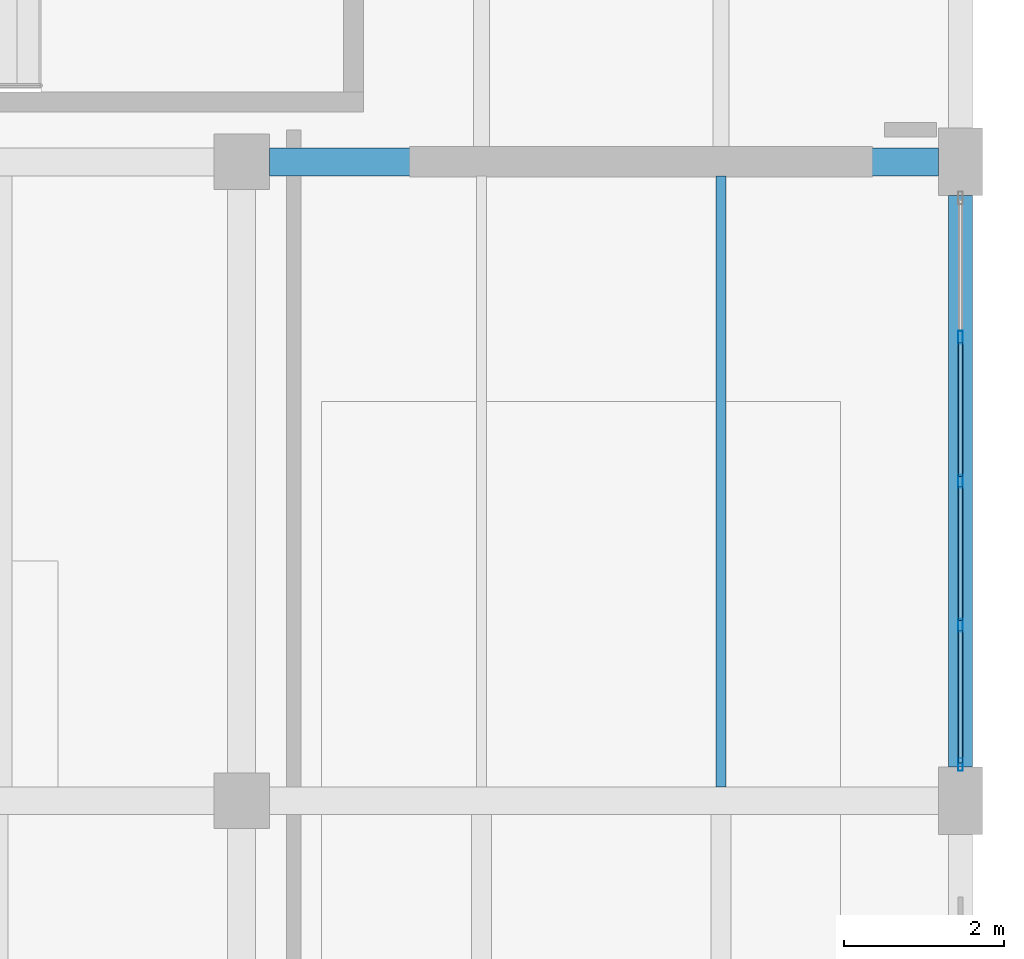
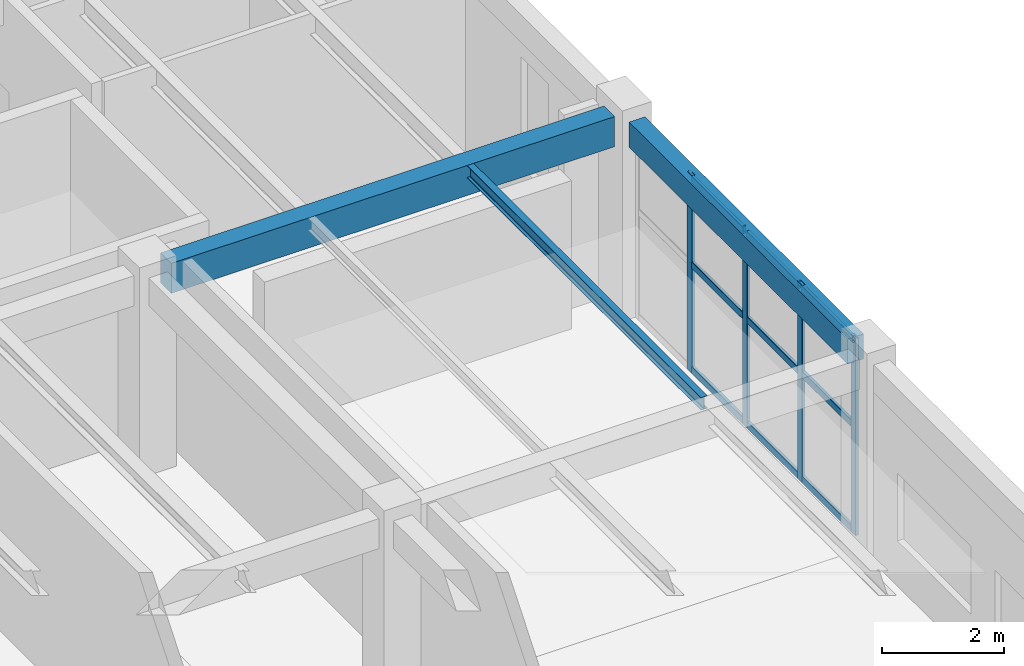
# One storey, part 33 of 71: 13 members, 3 beams, 1 element without a shape of its own.
"""IFC4 building model written with IfcOpenShell, lengths in metres."""

from ifc_helpers import new_model, si_unit, derived_unit, direction, frame, origin, origin_2d, place, context, subcontext, project, spatial, rectangle, hollow_rectangle, i_section, extrude, material, material_profile, profile_set, type_object, element, aggregate, save


model = new_model("IFC4")

# Units and contexts
model_context = context("Model", 3, precision=1e-05, world=origin(), true_north=direction((0.0, 1.0)))
body_context = subcontext(model_context, "Body", "Model", "MODEL_VIEW")
ifc_project = project(units=[si_unit("LENGTHUNIT", "METRE"), si_unit("AREAUNIT", "SQUARE_METRE"), si_unit("VOLUMEUNIT", "CUBIC_METRE"), si_unit("PLANEANGLEUNIT", "RADIAN"), si_unit("MASSUNIT", "GRAM", prefix="KILO"), derived_unit("THERMALTRANSMITTANCEUNIT", [(si_unit("MASSUNIT", "GRAM", prefix="KILO"), 1), (si_unit("TIMEUNIT", "SECOND"), -3), (si_unit("THERMODYNAMICTEMPERATUREUNIT", "KELVIN"), -1)])], contexts=[model_context])

# Site, building, storey
site_placement = place(None, origin())
site = spatial("IfcSite", under=ifc_project, at=site_placement, CompositionType="ELEMENT")
building_placement = place(site_placement, origin())
building = spatial("IfcBuilding", under=site, at=building_placement, Name="Zhenchuan Archway Interchange", CompositionType="ELEMENT")
storey_placement = place(building_placement, frame((0.0, 0.0, 18.60009765625)))
storey = spatial("IfcBuildingStorey", under=building, at=storey_placement, Name="L04", CompositionType="ELEMENT", Elevation=18.60009765625)

# Beam
ifc_material_1 = material(Name="Concrete C40", Category="concrete")
ifc_material_profile_1 = material_profile(ifc_material_1, rectangle(XDim=0.35009765625, YDim=0.60009765625, at=origin_2d()), Name="RC 350x600")
ifc_profile_set_1 = profile_set([ifc_material_profile_1], Name="Concrete C40")
beam_type_1 = type_object("IfcBeamType", Name="BM_RC_350x600", PredefinedType="BEAM", material=ifc_profile_set_1)
beam_1_placement = place(storey_placement, frame((162.35009765625, 48.0, 3.639892578125), z_axis=(1.0, 0.0, 0.0), x_axis=(0.0, 1.0, 0.0)))
element("IfcBeam", 1, at=beam_1_placement, inside=storey, type_object=beam_type_1, Name="Beam G:19-20 (L04)", PredefinedType="BEAM", context=body_context, shape_type="SweptSolid", body=[
    extrude(rectangle(XDim=0.35009765625, YDim=0.60009765625, at=origin_2d()), origin(), (0.0, 0.0, 1.0), 8.375),
])

# Curtain wall, members
ifc_material_2 = material(Name="Anodised Aluminium", Category="aluminium")
curtain_wall_type = type_object("IfcCurtainWallType", Name="CW_UNIT_2", PredefinedType="NOTDEFINED", material=ifc_material_2)
curtain_wall_placement = place(storey_placement, origin())
curtain_wall = element("IfcCurtainWall", 2, at=curtain_wall_placement, inside=storey, type_object=curtain_wall_type, Name="Unitised curtain wall CW:L04:197", PredefinedType="NOTDEFINED")
ifc_material_profile_2 = material_profile(ifc_material_2, hollow_rectangle(XDim=0.06005859375, YDim=0.159912109375, WallThickness=0.00390625, InnerFilletRadius=0.00390625, OuterFilletRadius=0.008056640625, at=origin_2d()), Name="ALU 160x60x4")
ifc_profile_set_2 = profile_set([ifc_material_profile_2], Name="Anodised Aluminium")
member_type_1 = type_object("IfcMemberType", Name="CW_MUL_150", PredefinedType="MULLION", material=ifc_profile_set_2)
member_1_placement = place(storey_placement, frame((171.0, 45.803466796875, 0.0), z_axis=(0.0, 0.0, 1.0), x_axis=(1.0, 0.0, 0.0)))
member_1 = element("IfcMember", 3, at=member_1_placement, type_object=member_type_1, Name="CW:L04:197 mullion 1", PredefinedType="MULLION", context=body_context, shape_type="SweptSolid", body=[
    extrude(hollow_rectangle(XDim=0.06005859375, YDim=0.159912109375, WallThickness=0.00390625, InnerFilletRadius=0.00390625, OuterFilletRadius=0.008056640625, at=origin_2d()), origin(), (0.0, 0.0, 1.0), 3.93994140625),
])
member_2_placement = place(storey_placement, frame((171.0, 44.0, 0.0), z_axis=(0.0, 0.0, 1.0), x_axis=(1.0, 0.0, 0.0)))
member_2 = element("IfcMember", 4, at=member_2_placement, type_object=member_type_1, Name="CW:L04:197 mullion 2", PredefinedType="MULLION", context=body_context, shape_type="SweptSolid", body=[
    extrude(hollow_rectangle(XDim=0.06005859375, YDim=0.159912109375, WallThickness=0.00390625, InnerFilletRadius=0.00390625, OuterFilletRadius=0.008056640625, at=origin_2d()), origin(), (0.0, 0.0, 1.0), 3.93994140625),
])
member_3_placement = place(storey_placement, frame((171.0, 42.196533203125, 0.0), z_axis=(0.0, 0.0, 1.0), x_axis=(1.0, 0.0, 0.0)))
member_3 = element("IfcMember", 5, at=member_3_placement, type_object=member_type_1, Name="CW:L04:197 mullion 3", PredefinedType="MULLION", context=body_context, shape_type="SweptSolid", body=[
    extrude(hollow_rectangle(XDim=0.06005859375, YDim=0.159912109375, WallThickness=0.00390625, InnerFilletRadius=0.00390625, OuterFilletRadius=0.008056640625, at=origin_2d()), origin(), (0.0, 0.0, 1.0), 3.93994140625),
])
member_4_placement = place(storey_placement, frame((171.0, 40.452880859375, 0.0), z_axis=(0.0, 0.0, 1.0), x_axis=(1.0, 0.0, 0.0)))
member_4 = element("IfcMember", 6, at=member_4_placement, type_object=member_type_1, Name="CW:L04:197 mullion 4", PredefinedType="MULLION", context=body_context, shape_type="SweptSolid", body=[
    extrude(hollow_rectangle(XDim=0.06005859375, YDim=0.159912109375, WallThickness=0.00390625, InnerFilletRadius=0.00390625, OuterFilletRadius=0.008056640625, at=origin_2d()), origin(), (0.0, 0.0, 1.0), 3.93994140625),
])
ifc_material_profile_3 = material_profile(ifc_material_2, hollow_rectangle(XDim=0.06005859375, YDim=0.139892578125, WallThickness=0.00341796875, InnerFilletRadius=0.00341796875, OuterFilletRadius=0.007080078125, at=origin_2d()), Name="ALU 140x60x3.5")
ifc_profile_set_3 = profile_set([ifc_material_profile_3], Name="Anodised Aluminium")
member_type_2 = type_object("IfcMemberType", Name="CW_TRN_140", PredefinedType="USERDEFINED", material=ifc_profile_set_3)
member_5_placement = place(storey_placement, frame((171.0, 45.743408203125, 0.059814453125), z_axis=(0.0, -1.0, 0.0), x_axis=(1.0, 0.0, 0.0)))
member_5 = element("IfcMember", 7, at=member_5_placement, type_object=member_type_2, Name="CW:L04:197 transom 1-1", ObjectType="TRANSOM", PredefinedType="USERDEFINED", context=body_context, shape_type="SweptSolid", body=[
    extrude(hollow_rectangle(XDim=0.06005859375, YDim=0.139892578125, WallThickness=0.00341796875, InnerFilletRadius=0.00341796875, OuterFilletRadius=0.007080078125, at=origin_2d()), origin(), (0.0, 0.0, 1.0), 1.683349609375),
])
member_6_placement = place(storey_placement, frame((171.0, 45.743408203125, 2.156005859375), z_axis=(0.0, -1.0, 0.0), x_axis=(1.0, 0.0, 0.0)))
member_6 = element("IfcMember", 8, at=member_6_placement, type_object=member_type_2, Name="CW:L04:197 transom 1-2", ObjectType="TRANSOM", PredefinedType="USERDEFINED", context=body_context, shape_type="SweptSolid", body=[
    extrude(hollow_rectangle(XDim=0.06005859375, YDim=0.139892578125, WallThickness=0.00341796875, InnerFilletRadius=0.00341796875, OuterFilletRadius=0.007080078125, at=origin_2d()), origin(), (0.0, 0.0, 1.0), 1.683349609375),
])
member_7_placement = place(storey_placement, frame((171.0, 45.743408203125, 3.85986328125), z_axis=(0.0, -1.0, 0.0), x_axis=(1.0, 0.0, 0.0)))
member_7 = element("IfcMember", 9, at=member_7_placement, type_object=member_type_2, Name="CW:L04:197 transom 1-3", ObjectType="TRANSOM", PredefinedType="USERDEFINED", context=body_context, shape_type="SweptSolid", body=[
    extrude(hollow_rectangle(XDim=0.06005859375, YDim=0.139892578125, WallThickness=0.00341796875, InnerFilletRadius=0.00341796875, OuterFilletRadius=0.007080078125, at=origin_2d()), origin(), (0.0, 0.0, 1.0), 1.683349609375),
])
member_8_placement = place(storey_placement, frame((171.0, 43.93994140625, 0.059814453125), z_axis=(0.0, -1.0, 0.0), x_axis=(1.0, 0.0, 0.0)))
member_8 = element("IfcMember", 10, at=member_8_placement, type_object=member_type_2, Name="CW:L04:197 transom 2-1", ObjectType="TRANSOM", PredefinedType="USERDEFINED", context=body_context, shape_type="SweptSolid", body=[
    extrude(hollow_rectangle(XDim=0.06005859375, YDim=0.139892578125, WallThickness=0.00341796875, InnerFilletRadius=0.00341796875, OuterFilletRadius=0.007080078125, at=origin_2d()), origin(), (0.0, 0.0, 1.0), 1.683349609375),
])
member_9_placement = place(storey_placement, frame((171.0, 43.93994140625, 2.156005859375), z_axis=(0.0, -1.0, 0.0), x_axis=(1.0, 0.0, 0.0)))
member_9 = element("IfcMember", 11, at=member_9_placement, type_object=member_type_2, Name="CW:L04:197 transom 2-2", ObjectType="TRANSOM", PredefinedType="USERDEFINED", context=body_context, shape_type="SweptSolid", body=[
    extrude(hollow_rectangle(XDim=0.06005859375, YDim=0.139892578125, WallThickness=0.00341796875, InnerFilletRadius=0.00341796875, OuterFilletRadius=0.007080078125, at=origin_2d()), origin(), (0.0, 0.0, 1.0), 1.683349609375),
])
member_10_placement = place(storey_placement, frame((171.0, 43.93994140625, 3.85986328125), z_axis=(0.0, -1.0, 0.0), x_axis=(1.0, 0.0, 0.0)))
member_10 = element("IfcMember", 12, at=member_10_placement, type_object=member_type_2, Name="CW:L04:197 transom 2-3", ObjectType="TRANSOM", PredefinedType="USERDEFINED", context=body_context, shape_type="SweptSolid", body=[
    extrude(hollow_rectangle(XDim=0.06005859375, YDim=0.139892578125, WallThickness=0.00341796875, InnerFilletRadius=0.00341796875, OuterFilletRadius=0.007080078125, at=origin_2d()), origin(), (0.0, 0.0, 1.0), 1.683349609375),
])
member_11_placement = place(storey_placement, frame((171.0, 42.136474609375, 0.059814453125), z_axis=(0.0, -1.0, 0.0), x_axis=(1.0, 0.0, 0.0)))
member_11 = element("IfcMember", 13, at=member_11_placement, type_object=member_type_2, Name="CW:L04:197 transom 3-1", ObjectType="TRANSOM", PredefinedType="USERDEFINED", context=body_context, shape_type="SweptSolid", body=[
    extrude(hollow_rectangle(XDim=0.06005859375, YDim=0.139892578125, WallThickness=0.00341796875, InnerFilletRadius=0.00341796875, OuterFilletRadius=0.007080078125, at=origin_2d()), origin(), (0.0, 0.0, 1.0), 1.66357421875),
])
member_12_placement = place(storey_placement, frame((171.0, 42.136474609375, 2.156005859375), z_axis=(0.0, -1.0, 0.0), x_axis=(1.0, 0.0, 0.0)))
member_12 = element("IfcMember", 14, at=member_12_placement, type_object=member_type_2, Name="CW:L04:197 transom 3-2", ObjectType="TRANSOM", PredefinedType="USERDEFINED", context=body_context, shape_type="SweptSolid", body=[
    extrude(hollow_rectangle(XDim=0.06005859375, YDim=0.139892578125, WallThickness=0.00341796875, InnerFilletRadius=0.00341796875, OuterFilletRadius=0.007080078125, at=origin_2d()), origin(), (0.0, 0.0, 1.0), 1.66357421875),
])
member_13_placement = place(storey_placement, frame((171.0, 42.136474609375, 3.85986328125), z_axis=(0.0, -1.0, 0.0), x_axis=(1.0, 0.0, 0.0)))
member_13 = element("IfcMember", 15, at=member_13_placement, type_object=member_type_2, Name="CW:L04:197 transom 3-3", ObjectType="TRANSOM", PredefinedType="USERDEFINED", context=body_context, shape_type="SweptSolid", body=[
    extrude(hollow_rectangle(XDim=0.06005859375, YDim=0.139892578125, WallThickness=0.00341796875, InnerFilletRadius=0.00341796875, OuterFilletRadius=0.007080078125, at=origin_2d()), origin(), (0.0, 0.0, 1.0), 1.66357421875),
])
aggregate(curtain_wall, [member_1, member_2, member_3, member_4, member_5, member_6, member_7, member_8, member_9, member_10, member_11, member_12, member_13])

# Beams
ifc_material_3 = material(Name="Steel Q355", Category="steel")
ifc_material_profile_4 = material_profile(ifc_material_3, i_section(OverallWidth=0.125, OverallDepth=0.25, WebThickness=0.006103515625, FlangeThickness=0.009033203125, FilletRadius=0.011962890625, at=origin_2d()), Name="HN 250x125")
ifc_profile_set_4 = profile_set([ifc_material_profile_4], Name="Steel Q355")
beam_type_2 = type_object("IfcBeamType", Name="JST_STL_HN250", PredefinedType="JOIST", material=ifc_profile_set_4)
beam_2_placement = place(storey_placement, frame((168.0, 40.175048828125, 3.81494140625), z_axis=(0.0, 1.0, 0.0), x_axis=(-1.0, 0.0, 0.0)))
element("IfcBeam", 16, at=beam_2_placement, inside=storey, type_object=beam_type_2, Name="Secondary joist 19-20/F-G #2 (L04)", PredefinedType="JOIST", context=body_context, shape_type="SweptSolid", body=[
    extrude(i_section(OverallWidth=0.125, OverallDepth=0.25, WebThickness=0.006103515625, FlangeThickness=0.009033203125, FilletRadius=0.011962890625, at=origin_2d()), origin(), (0.0, 0.0, 1.0), 7.64990234375),
])
ifc_material_profile_5 = material_profile(ifc_material_1, rectangle(XDim=0.300048828125, YDim=0.5, at=origin_2d()), Name="RC 300x500")
ifc_profile_set_5 = profile_set([ifc_material_profile_5], Name="Concrete C40")
beam_type_3 = type_object("IfcBeamType", Name="SP_RC_300x500", PredefinedType="SPANDREL", material=ifc_profile_set_5)
beam_3_placement = place(storey_placement, frame((171.0, 40.425048828125, 3.68994140625), z_axis=(0.0, 1.0, 0.0), x_axis=(-1.0, 0.0, 0.0)))
element("IfcBeam", 17, at=beam_3_placement, inside=storey, type_object=beam_type_3, Name="Beam 20:F-G (L04)", PredefinedType="SPANDREL", context=body_context, shape_type="SweptSolid", body=[
    extrude(rectangle(XDim=0.300048828125, YDim=0.5, at=origin_2d()), origin(), (0.0, 0.0, 1.0), 7.14990234375),
])

save(model, "model.ifc")
